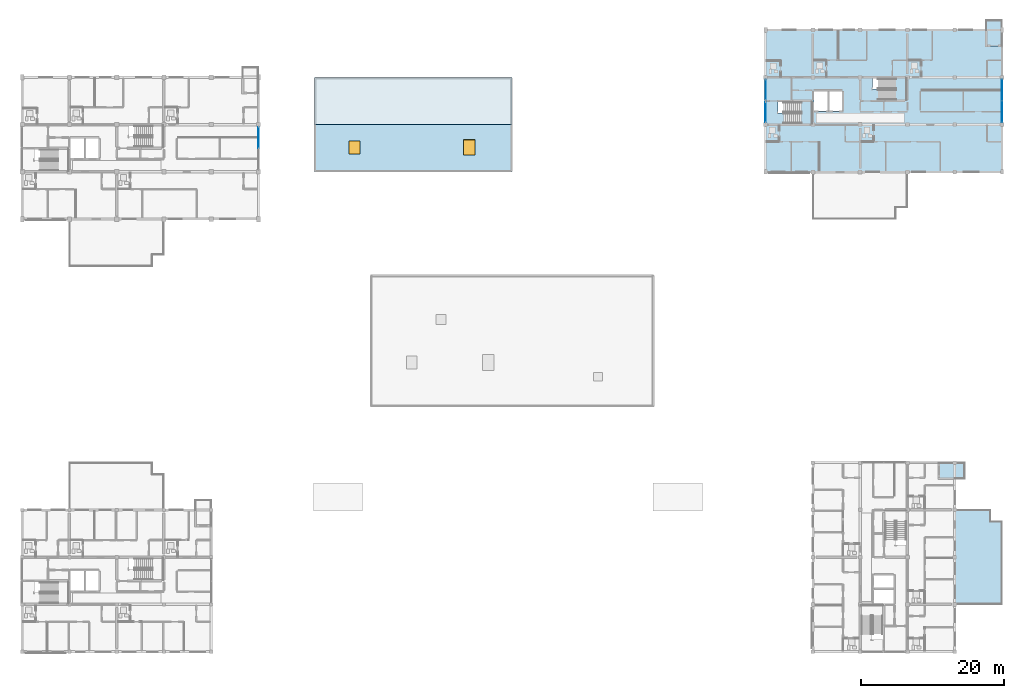
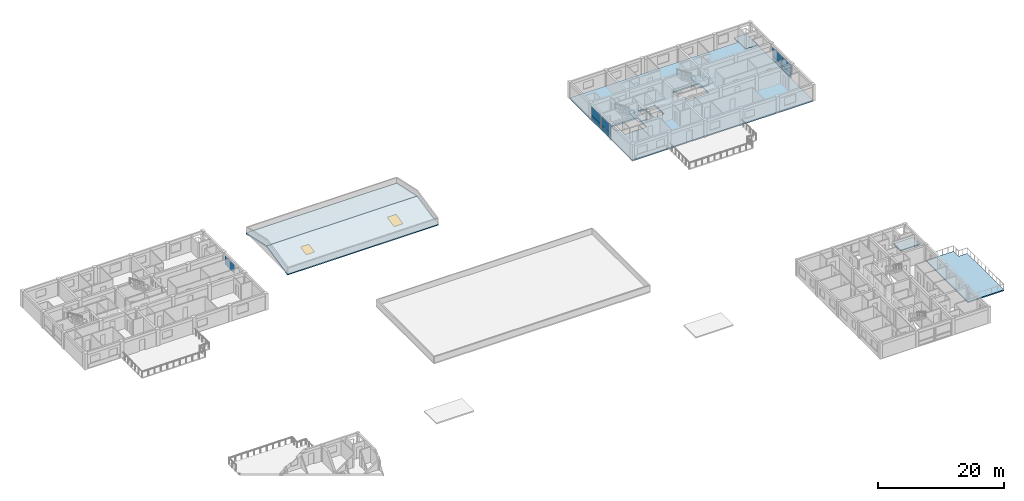
# One storey, part 25 of 51: 9 plates, 8 slabs, 2 windows, 2 openings, 6 elements without a shape of their own.
"""IFC4 building model written with IfcOpenShell, lengths in metres."""

from ifc_helpers import new_model, si_unit, direction, frame, origin, origin_2d, place, context, subcontext, project, spatial, polyline, rectangle, outline, extrude, material, layer, layer_set, type_object, element, fill, aggregate, save


model = new_model("IFC4")

# Units and contexts
model_context = context("Model", 3, precision=1e-05, world=origin(), true_north=direction((0.0, 1.0)))
body_context = subcontext(model_context, "Body", "Model", "MODEL_VIEW")
ifc_project = project(units=[si_unit("LENGTHUNIT", "METRE"), si_unit("AREAUNIT", "SQUARE_METRE"), si_unit("VOLUMEUNIT", "CUBIC_METRE"), si_unit("PLANEANGLEUNIT", "RADIAN"), si_unit("MASSUNIT", "GRAM", prefix="KILO")], contexts=[model_context])

# Site, building, storey
site_placement = place(None, origin())
site = spatial("IfcSite", under=ifc_project, at=site_placement, CompositionType="ELEMENT")
building_placement = place(site_placement, origin())
building = spatial("IfcBuilding", under=site, at=building_placement, Name="Kernevlak Ridge Housing Community", CompositionType="ELEMENT")
storey_placement = place(building_placement, frame((0.0, 0.0, 8.39990234375)))
storey = spatial("IfcBuildingStorey", under=building, at=storey_placement, Name="L02", CompositionType="ELEMENT", Elevation=8.39990234375)

# Curtain wall, plate
ifc_material_1 = material(Name="Aluminium EN AW-6060 anodised and laminated glass", Category="aluminium")
curtain_wall_type_1 = type_object("IfcCurtainWallType", Name="CW-09", PredefinedType="NOTDEFINED", material=ifc_material_1)
curtain_wall_1_placement = place(storey_placement, origin())
curtain_wall_1 = element("IfcCurtainWall", 1, at=curtain_wall_1_placement, inside=storey, type_object=curtain_wall_type_1, Name="Curtain wall CW-09 CW-L02-062", PredefinedType="NOTDEFINED")
ifc_material_2 = material(Name="Aluminium EN AW-5005 enamelled panel", Category="aluminium")
ifc_layer_1 = layer(ifc_material_2, 0.033935546875, Name="Aluminium EN AW-5005 enamelled panel")
ifc_layer_set_1 = layer_set([ifc_layer_1], Name="Aluminium EN AW-5005 enamelled panel")
plate_type_1 = type_object("IfcPlateType", Name="CP-03", PredefinedType="CURTAIN_PANEL", material=ifc_layer_set_1)
plate_1_placement = place(storey_placement, frame((119.39990234375, 94.0673828125, 0.065185546875), z_axis=(0.0, 0.0, 1.0), x_axis=(0.0, 1.0, 0.0)))
plate_1 = element("IfcPlate", 2, at=plate_1_placement, type_object=plate_type_1, Name="CW-09 panel 1.1", PredefinedType="CURTAIN_PANEL", context=body_context, shape_type="SweptSolid", body=[
    extrude(rectangle(XDim=2.784912109375, YDim=0.033935546875, at=origin_2d()), origin(), (0.0, 0.0, 1.0), 0.75244140625),
])

# Curtain wall, plates
curtain_wall_type_2 = type_object("IfcCurtainWallType", Name="CW-14", PredefinedType="NOTDEFINED", material=ifc_material_1)
curtain_wall_2_placement = place(storey_placement, origin())
curtain_wall_2 = element("IfcCurtainWall", 3, at=curtain_wall_2_placement, inside=storey, type_object=curtain_wall_type_2, Name="Curtain wall CW-14 CW-L02-063", PredefinedType="NOTDEFINED")
ifc_layer_2 = layer(ifc_material_2, 0.0380859375, Name="Aluminium EN AW-5005 enamelled panel")
ifc_layer_set_2 = layer_set([ifc_layer_2], Name="Aluminium EN AW-5005 enamelled panel")
plate_type_2 = type_object("IfcPlateType", Name="CP-04", PredefinedType="CURTAIN_PANEL", material=ifc_layer_set_2)
plate_2_placement = place(storey_placement, frame((152.39990234375, 91.001220703125, 0.05517578125), z_axis=(0.0, 0.0, 1.0), x_axis=(0.0, 1.0, 0.0)))
plate_2 = element("IfcPlate", 4, at=plate_2_placement, type_object=plate_type_2, Name="CW-14 panel 1.1", PredefinedType="CURTAIN_PANEL", context=body_context, shape_type="SweptSolid", body=[
    extrude(rectangle(XDim=2.9423828125, YDim=0.0380859375, at=origin_2d()), origin(), (0.0, 0.0, 1.0), 0.767578125),
])
plate_3_placement = place(storey_placement, frame((152.39990234375, 93.998779296875, 0.05517578125), z_axis=(0.0, 0.0, 1.0), x_axis=(0.0, 1.0, 0.0)))
plate_3 = element("IfcPlate", 5, at=plate_3_placement, type_object=plate_type_2, Name="CW-14 panel 2.1", PredefinedType="CURTAIN_PANEL", context=body_context, shape_type="SweptSolid", body=[
    extrude(rectangle(XDim=2.9423828125, YDim=0.0380859375, at=origin_2d()), origin(), (0.0, 0.0, 1.0), 0.767578125),
])

# Curtain wall, plate
curtain_wall_type_3 = type_object("IfcCurtainWallType", Name="CW-04", PredefinedType="NOTDEFINED", material=ifc_material_1)
curtain_wall_3_placement = place(storey_placement, origin())
curtain_wall_3 = element("IfcCurtainWall", 6, at=curtain_wall_3_placement, inside=storey, type_object=curtain_wall_type_3, Name="Curtain wall CW-04 CW-L02-061", PredefinedType="NOTDEFINED")
ifc_material_3 = material(Name="Aluminium EN AW-5005 insulated panel", Category="aluminium")
ifc_layer_3 = layer(ifc_material_3, 0.050048828125, Name="Aluminium EN AW-5005 insulated panel")
ifc_layer_set_3 = layer_set([ifc_layer_3], Name="Aluminium EN AW-5005 insulated panel")
plate_type_3 = type_object("IfcPlateType", Name="CP-07", PredefinedType="CURTAIN_PANEL", material=ifc_layer_set_3)
plate_4_placement = place(storey_placement, frame((119.39990234375, 90.9326171875, 0.06005859375), z_axis=(0.0, 0.0, 1.0), x_axis=(0.0, 1.0, 0.0)))
plate_4 = element("IfcPlate", 7, at=plate_4_placement, type_object=plate_type_3, Name="CW-04 panel 1.1", PredefinedType="CURTAIN_PANEL", context=body_context, shape_type="SweptSolid", body=[
    extrude(rectangle(XDim=2.794921875, YDim=0.050048828125, at=origin_2d()), origin(), (0.0, 0.0, 1.0), 0.760009765625),
])

curtain_wall_type_4 = type_object("IfcCurtainWallType", Name="CW-12", PredefinedType="NOTDEFINED", material=ifc_material_1)
curtain_wall_4_placement = place(storey_placement, origin())
curtain_wall_4 = element("IfcCurtainWall", 8, at=curtain_wall_4_placement, inside=storey, type_object=curtain_wall_type_4, Name="Curtain wall CW-12 CW-L02-009", PredefinedType="NOTDEFINED")
ifc_material_4 = material(Name="Low-iron clear staircase glazing panel", Category="glass")
ifc_layer_4 = layer(ifc_material_4, 0.031982421875, Name="Low-iron clear staircase glazing panel")
ifc_layer_set_4 = layer_set([ifc_layer_4], Name="Low-iron clear staircase glazing panel")
plate_type_4 = type_object("IfcPlateType", Name="CP-08", PredefinedType="CURTAIN_PANEL", material=ifc_layer_set_4)
plate_5_placement = place(storey_placement, frame((48.60009765625, 87.38623046875, 0.877685546875), z_axis=(0.0, 0.0, 1.0), x_axis=(0.0, 1.0, 0.0)))
plate_5 = element("IfcPlate", 9, at=plate_5_placement, type_object=plate_type_4, Name="CW-12 panel 2.2", PredefinedType="CURTAIN_PANEL", context=body_context, shape_type="SweptSolid", body=[
    extrude(rectangle(XDim=2.91748046875, YDim=0.031982421875, at=origin_2d()), origin(), (0.0, 0.0, 1.0), 1.66748046875),
])
aggregate(curtain_wall_4, [plate_5])

# Plate
plate_6_placement = place(storey_placement, frame((119.39990234375, 90.9326171875, 0.88037109375), z_axis=(0.0, 0.0, 1.0), x_axis=(0.0, 1.0, 0.0)))
plate_6 = element("IfcPlate", 10, at=plate_6_placement, type_object=plate_type_4, Name="CW-04 panel 1.2", PredefinedType="CURTAIN_PANEL", context=body_context, shape_type="SweptSolid", body=[
    extrude(rectangle(XDim=2.794921875, YDim=0.031982421875, at=origin_2d()), origin(), (0.0, 0.0, 1.0), 1.659912109375),
])

aggregate(curtain_wall_3, [plate_4, plate_6])

plate_7_placement = place(storey_placement, frame((119.39990234375, 94.0673828125, 0.88232421875), z_axis=(0.0, 0.0, 1.0), x_axis=(0.0, 1.0, 0.0)))
plate_7 = element("IfcPlate", 11, at=plate_7_placement, type_object=plate_type_4, Name="CW-09 panel 1.2", PredefinedType="CURTAIN_PANEL", context=body_context, shape_type="SweptSolid", body=[
    extrude(rectangle(XDim=2.784912109375, YDim=0.031982421875, at=origin_2d()), origin(), (0.0, 0.0, 1.0), 1.652587890625),
])

aggregate(curtain_wall_1, [plate_1, plate_7])

plate_8_placement = place(storey_placement, frame((152.39990234375, 91.001220703125, 0.877685546875), z_axis=(0.0, 0.0, 1.0), x_axis=(0.0, 1.0, 0.0)))
plate_8 = element("IfcPlate", 12, at=plate_8_placement, type_object=plate_type_4, Name="CW-14 panel 1.2", PredefinedType="CURTAIN_PANEL", context=body_context, shape_type="SweptSolid", body=[
    extrude(rectangle(XDim=2.9423828125, YDim=0.031982421875, at=origin_2d()), origin(), (0.0, 0.0, 1.0), 1.66748046875),
])

plate_9_placement = place(storey_placement, frame((152.39990234375, 93.998779296875, 0.877685546875), z_axis=(0.0, 0.0, 1.0), x_axis=(0.0, 1.0, 0.0)))
plate_9 = element("IfcPlate", 13, at=plate_9_placement, type_object=plate_type_4, Name="CW-14 panel 2.2", PredefinedType="CURTAIN_PANEL", context=body_context, shape_type="SweptSolid", body=[
    extrude(rectangle(XDim=2.9423828125, YDim=0.031982421875, at=origin_2d()), origin(), (0.0, 0.0, 1.0), 1.66748046875),
])

aggregate(curtain_wall_2, [plate_2, plate_8, plate_3, plate_9])

# Slabs
ifc_material_5 = material(Name="Concrete C35/45", Category="concrete")
ifc_layer_5 = layer(ifc_material_5, 0.239990234375, Name="Concrete C35/45")
ifc_layer_set_5 = layer_set([ifc_layer_5], Name="Concrete C35/45")
slab_type_1 = type_object("IfcSlabType", Name="SL-03", PredefinedType="FLOOR", material=ifc_layer_set_5)
slab_1_placement = place(storey_placement, frame((0.0, 0.0, -0.239990234375)))
element("IfcSlab", 14, at=slab_1_placement, inside=storey, type_object=slab_type_1, Name="Block B level L02 floor slab", PredefinedType="FLOOR", context=body_context, shape_type="SweptSolid", body=[
    extrude(outline(polyline([(119.39990234375, 82.60009765625), (152.39990234375, 82.60009765625), (152.39990234375, 100.199951171875), (150.199951171875, 100.199951171875), (150.199951171875, 102.39990234375), (119.39990234375, 102.39990234375), (119.39990234375, 82.60009765625)]), holes=[polyline([(121.93994140625, 90.85009765625), (121.10009765625, 90.85009765625), (121.10009765625, 92.35009765625), (125.919921875, 92.35009765625), (125.919921875, 89.35009765625), (121.93994140625, 89.35009765625), (121.93994140625, 90.85009765625)]), polyline([(135.139892578125, 94.14990234375), (134.300048828125, 94.14990234375), (134.300048828125, 95.64990234375), (139.1201171875, 95.64990234375), (139.1201171875, 92.64990234375), (135.139892578125, 92.64990234375), (135.139892578125, 94.14990234375)]), polyline([(126.1201171875, 93.8798828125), (128.080078125, 93.8798828125), (128.080078125, 91.1201171875), (126.1201171875, 91.1201171875), (126.1201171875, 93.8798828125)]), polyline([(128.320068359375, 93.8798828125), (130.080078125, 93.8798828125), (130.080078125, 91.1201171875), (128.320068359375, 91.1201171875), (128.320068359375, 93.8798828125)])]), origin(), (0.0, 0.0, 1.0), 0.239990234375),
])
ifc_layer_6 = layer(ifc_material_5, 0.199951171875, Name="Concrete C35/45")
ifc_layer_set_6 = layer_set([ifc_layer_6], Name="Concrete C35/45")
slab_type_2 = type_object("IfcSlabType", Name="SL-05", PredefinedType="FLOOR", material=ifc_layer_set_6)
slab_2_placement = place(storey_placement, frame((0.0, 0.0, -0.199951171875)))
element("IfcSlab", 15, at=slab_2_placement, inside=storey, type_object=slab_type_2, Name="Block B L02 corner balcony deck slab", PredefinedType="FLOOR", context=body_context, shape_type="SweptSolid", body=[
    extrude(outline(polyline([(150.199951171875, 100.199951171875), (152.39990234375, 100.199951171875), (152.39990234375, 103.800048828125), (150.199951171875, 103.800048828125), (150.199951171875, 100.199951171875)])), origin(), (0.0, 0.0, 1.0), 0.199951171875),
])
slab_3_placement = place(storey_placement, frame((0.0, 0.0, -0.199951171875)))
element("IfcSlab", 16, at=slab_3_placement, inside=storey, type_object=slab_type_2, Name="Block C L02 corner balcony deck slab", PredefinedType="FLOOR", context=body_context, shape_type="SweptSolid", body=[
    extrude(outline(polyline([(147.199951171875, 39.800048828125), (147.199951171875, 42.0), (143.60009765625, 42.0), (143.60009765625, 39.800048828125), (147.199951171875, 39.800048828125)])), origin(), (0.0, 0.0, 1.0), 0.199951171875),
])

# Slab, openings, windows
ifc_layer_7 = layer(ifc_material_5, 0.260009765625, Name="Concrete C35/45")
ifc_layer_set_7 = layer_set([ifc_layer_7], Name="Concrete C35/45")
slab_type_3 = type_object("IfcSlabType", Name="SL-07", PredefinedType="ROOF", material=ifc_layer_set_7)
slab_4_placement = place(storey_placement, frame((56.39990234375, 82.60009765625, 0.0), z_axis=(0.0, -0.214611581954, 0.976699477266), x_axis=(1.0, 0.0, 0.0)))
slab_4 = element("IfcSlab", 17, at=slab_4_placement, inside=storey, type_object=slab_type_3, Name="Community Nursery pitched roof slab (south slope)", PredefinedType="ROOF", context=body_context, shape_type="SweptSolid", body=[
    extrude(outline(polyline([(0.0, 0.0), (27.60009765625, 0.0), (27.60009765625, 6.757302188899402), (0.0, 6.757302188899402), (0.0, 0.0)])), origin(), (0.0, 0.0, -1.0), 0.260009765625),
])
opening_1_placement = place(slab_4_placement, frame((5.60009765625, 3.48095703125, -0.27001953125)))
opening_1 = element("IfcOpeningElement", 18, at=opening_1_placement, cuts=slab_4, Name="Opening SK-03", PredefinedType="OPENING", context=body_context, shape_type="SweptSolid", body=[
    extrude(rectangle(XDim=1.5, YDim=1.800048828125, at=origin_2d()), origin(), (0.0, 0.0, 1.0), 0.280029296875),
])
opening_2_placement = place(slab_4_placement, frame((21.60009765625, 3.48095703125, -0.27001953125)))
opening_2 = element("IfcOpeningElement", 19, at=opening_2_placement, cuts=slab_4, Name="Opening SK-04", PredefinedType="OPENING", context=body_context, shape_type="SweptSolid", body=[
    extrude(rectangle(XDim=1.60009765625, YDim=2.199951171875, at=origin_2d()), origin(), (0.0, 0.0, 1.0), 0.280029296875),
])
ifc_material_6 = material(Name="Aluminium EN AW-6060 and laminated skylight glass", Category="aluminium")
window_type_1 = type_object("IfcWindowType", Name="SK-03", PartitioningType="SINGLE_PANEL", PredefinedType="SKYLIGHT", material=ifc_material_6)
window_1_placement = place(slab_4_placement, frame((5.60009765625, 3.48095703125, -0.050048828125)))
window_1 = element("IfcWindow", 20, at=window_1_placement, inside=storey, type_object=window_type_1, Name="Community Nursery roof skylight 1", OverallHeight=1.800048828125, OverallWidth=1.5, PartitioningType="SINGLE_PANEL", PredefinedType="SKYLIGHT", context=body_context, shape_type="SweptSolid", body=[
    extrude(rectangle(XDim=1.5, YDim=1.800048828125, at=origin_2d()), origin(), (0.0, 0.0, 1.0), 0.050048828125),
])
fill(opening_1, window_1)
window_type_2 = type_object("IfcWindowType", Name="SK-04", PartitioningType="SINGLE_PANEL", PredefinedType="SKYLIGHT", material=ifc_material_6)
window_2_placement = place(slab_4_placement, frame((21.60009765625, 3.48095703125, -0.050048828125)))
window_2 = element("IfcWindow", 21, at=window_2_placement, inside=storey, type_object=window_type_2, Name="Community Nursery roof skylight 2", OverallHeight=2.199951171875, OverallWidth=1.60009765625, PartitioningType="SINGLE_PANEL", PredefinedType="SKYLIGHT", context=body_context, shape_type="SweptSolid", body=[
    extrude(rectangle(XDim=1.60009765625, YDim=2.199951171875, at=origin_2d()), origin(), (0.0, 0.0, 1.0), 0.050048828125),
])
fill(opening_2, window_2)

# Slab
slab_5_placement = place(storey_placement, frame((56.39990234375, 89.199951171875, 1.4501953125), z_axis=(0.0, 0.21460400899, 0.976701141253), x_axis=(1.0, 0.0, 0.0)))
element("IfcSlab", 22, at=slab_5_placement, inside=storey, type_object=slab_type_3, Name="Community Nursery pitched roof slab (north slope)", PredefinedType="ROOF", context=body_context, shape_type="SweptSolid", body=[
    extrude(outline(polyline([(0.0, 0.0), (27.60009765625, 0.0), (27.60009765625, 6.757540641123345), (0.0, 6.757540641123345), (0.0, 0.0)])), origin(), (0.0, 0.0, -1.0), 0.260009765625),
])

# Stair, slab
stair_type = type_object("IfcStairType", Name="SR-01", PredefinedType="HALF_TURN_STAIR", material=ifc_material_5)
stair_1_placement = place(storey_placement, origin())
stair_1 = element("IfcStair", 23, at=stair_1_placement, inside=storey, type_object=stair_type, Name="Stair ST-B1 L02", PredefinedType="HALF_TURN_STAIR")
ifc_layer_8 = layer(ifc_material_5, 0.18994140625, Name="Concrete C35/45")
ifc_layer_set_8 = layer_set([ifc_layer_8], Name="Concrete C35/45")
slab_type_4 = type_object("IfcSlabType", Name="SL-13", PredefinedType="LANDING", material=ifc_layer_set_8)
slab_6_placement = place(storey_placement, frame((0.0, 0.0, 1.41015625)))
slab_6 = element("IfcSlab", 24, at=slab_6_placement, type_object=slab_type_4, Name="SR-01 landing 1", PredefinedType="LANDING", context=body_context, shape_type="SweptSolid", body=[
    extrude(outline(polyline([(124.340087890625, 89.25), (125.949951171875, 89.25), (125.949951171875, 92.449951171875), (124.340087890625, 92.449951171875), (124.340087890625, 89.25)])), origin(), (0.0, 0.0, 1.0), 0.18994140625),
])
aggregate(stair_1, [slab_6])

stair_2_placement = place(storey_placement, origin())
stair_2 = element("IfcStair", 25, at=stair_2_placement, inside=storey, type_object=stair_type, Name="Stair ST-B2 L02", PredefinedType="HALF_TURN_STAIR")
slab_7_placement = place(storey_placement, frame((0.0, 0.0, 1.41015625)))
slab_7 = element("IfcSlab", 26, at=slab_7_placement, type_object=slab_type_4, Name="SR-01 landing 1", PredefinedType="LANDING", context=body_context, shape_type="SweptSolid", body=[
    extrude(outline(polyline([(137.5400390625, 92.550048828125), (139.14990234375, 92.550048828125), (139.14990234375, 95.75), (137.5400390625, 95.75), (137.5400390625, 92.550048828125)])), origin(), (0.0, 0.0, 1.0), 0.18994140625),
])
aggregate(stair_2, [slab_7])

# Slab
ifc_layer_9 = layer(ifc_material_5, 0.215087890625, Name="Concrete C35/45")
ifc_layer_set_9 = layer_set([ifc_layer_9], Name="Concrete C35/45")
slab_type_5 = type_object("IfcSlabType", Name="SL-15", PredefinedType="FLOOR", material=ifc_layer_set_9)
slab_8_placement = place(storey_placement, frame((0.0, 0.0, -0.21484375)))
element("IfcSlab", 27, at=slab_8_placement, inside=storey, type_object=slab_type_5, Name="Block C L02 podium roof terrace slab", PredefinedType="FLOOR", context=body_context, shape_type="SweptSolid", body=[
    extrude(outline(polyline([(152.39990234375, 22.199951171875), (152.39990234375, 33.800048828125), (150.800048828125, 33.800048828125), (150.800048828125, 35.39990234375), (145.800048828125, 35.39990234375), (145.800048828125, 22.199951171875), (152.39990234375, 22.199951171875)])), origin(), (0.0, 0.0, 1.0), 0.21484375),
])

save(model, "model.ifc")
